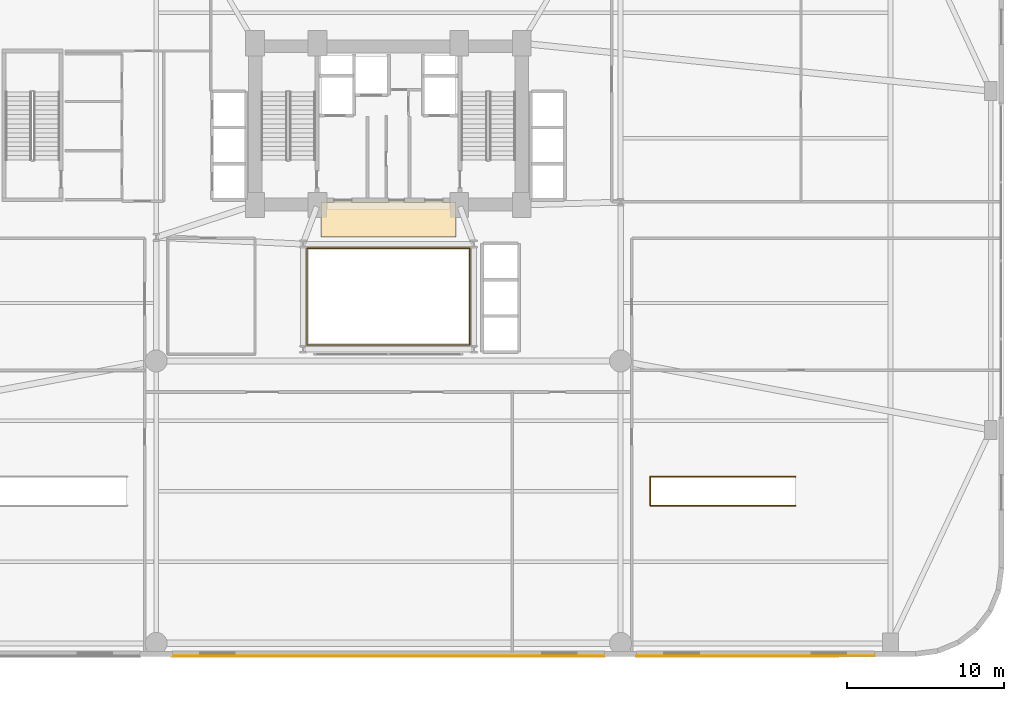
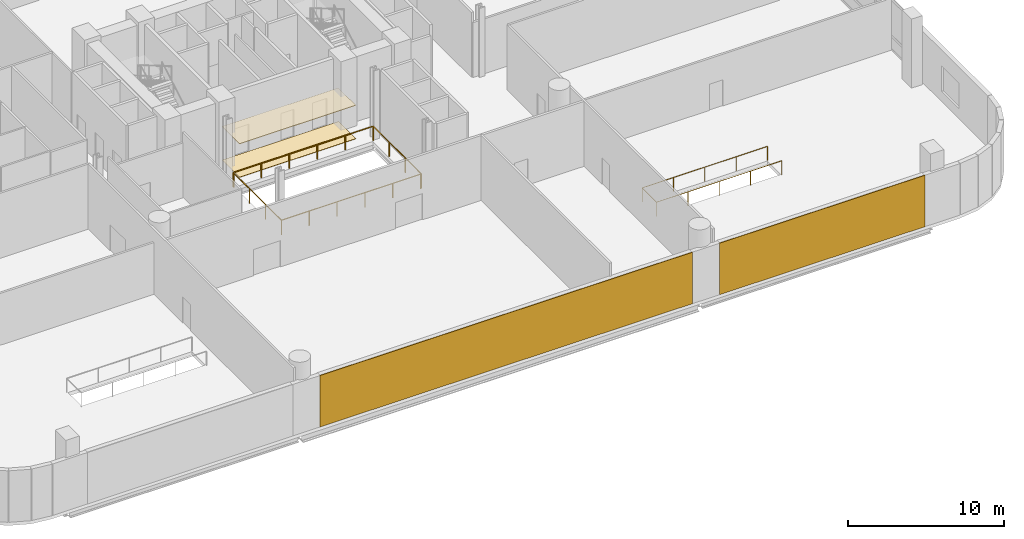
# One storey, part 27 of 31: 4 coverings, 3 railings.
"""IFC4 building model written with IfcOpenShell, lengths in metres."""

from ifc_helpers import new_model, si_unit, direction, frame, origin, origin_2d, place, context, subcontext, project, spatial, rectangle, circle, extrude, source, transform, mapped, material, layer, layer_set, type_object, element, save


model = new_model("IFC4")

# Units and contexts
model_context = context("Model", 3, precision=1e-05, world=origin(), true_north=direction((0.0, 1.0)))
body_context = subcontext(model_context, "Body", "Model", "MODEL_VIEW")
ifc_project = project(units=[si_unit("LENGTHUNIT", "METRE"), si_unit("AREAUNIT", "SQUARE_METRE"), si_unit("VOLUMEUNIT", "CUBIC_METRE"), si_unit("PLANEANGLEUNIT", "RADIAN"), si_unit("MASSUNIT", "GRAM", prefix="KILO")], contexts=[model_context])

# Site, building, storey
site_placement = place(None, origin())
site = spatial("IfcSite", under=ifc_project, at=site_placement, CompositionType="ELEMENT")
building_placement = place(site_placement, origin())
building = spatial("IfcBuilding", under=site, at=building_placement, Name="Varnelok Gate Tower", CompositionType="ELEMENT")
storey_placement = place(building_placement, frame((0.0, 0.0, 16.199951171875)))
storey = spatial("IfcBuildingStorey", under=building, at=storey_placement, Name="L03", CompositionType="ELEMENT", Elevation=16.199951171875)

# Railings
ifc_material_1 = material(Name="Tempered Laminated Balustrade Glass", Category="glass")
railing_type_1 = type_object("IfcRailingType", Name="RL-ATR-GUARD1150", PredefinedType="GUARDRAIL", material=ifc_material_1)
railing_1_placement = place(storey_placement, frame((34.02001953125, 25.929931640625, 0.0)))
element("IfcRailing", 1, at=railing_1_placement, inside=storey, type_object=railing_type_1, Name="L03 Internal Atrium South-West Guardrail", PredefinedType="GUARDRAIL", context=body_context, shape_type="SweptSolid", body=[
    extrude(circle(Radius=0.02392578125, at=origin_2d()), frame((0.0, 0.0, 1.1259765625), z_axis=(0.0, -1.0, 0.0), x_axis=(1.0, 0.0, 0.0)), (0.0, 0.0, 1.0), 6.10986328125),
    extrude(circle(Radius=0.02392578125, at=origin_2d()), frame((0.0, -6.10986328125, 1.1259765625), z_axis=(1.0, 0.0, 0.0), x_axis=(0.0, 1.0, 0.0)), (0.0, 0.0, 1.0), 10.31005859375),
    extrude(circle(Radius=0.02099609375, at=origin_2d()), origin(), (0.0, 0.0, 1.0), 1.101806640625),
    extrude(circle(Radius=0.02099609375, at=origin_2d()), frame((0.0, -2.03662109375, 0.0)), (0.0, 0.0, 1.0), 1.101806640625),
    extrude(circle(Radius=0.02099609375, at=origin_2d()), frame((0.0, -4.0732421875, 0.0)), (0.0, 0.0, 1.0), 1.101806640625),
    extrude(circle(Radius=0.02099609375, at=origin_2d()), frame((0.0, -6.10986328125, 0.0)), (0.0, 0.0, 1.0), 1.101806640625),
    extrude(circle(Radius=0.02099609375, at=origin_2d()), frame((2.06201171875, -6.10986328125, 0.0)), (0.0, 0.0, 1.0), 1.101806640625),
    extrude(circle(Radius=0.02099609375, at=origin_2d()), frame((4.1240234375, -6.10986328125, 0.0)), (0.0, 0.0, 1.0), 1.101806640625),
    extrude(circle(Radius=0.02099609375, at=origin_2d()), frame((6.18603515625, -6.10986328125, 0.0)), (0.0, 0.0, 1.0), 1.101806640625),
    extrude(circle(Radius=0.02099609375, at=origin_2d()), frame((8.248046875, -6.10986328125, 0.0)), (0.0, 0.0, 1.0), 1.101806640625),
    extrude(circle(Radius=0.02099609375, at=origin_2d()), frame((10.31005859375, -6.10986328125, 0.0)), (0.0, 0.0, 1.0), 1.101806640625),
])
railing_2_placement = place(storey_placement, frame((44.3798828125, 19.820068359375, 0.0)))
element("IfcRailing", 2, at=railing_2_placement, inside=storey, type_object=railing_type_1, Name="L03 Internal Atrium North-East Guardrail", PredefinedType="GUARDRAIL", context=body_context, shape_type="SweptSolid", body=[
    extrude(circle(Radius=0.02392578125, at=origin_2d()), frame((0.0, 0.0, 1.1259765625), z_axis=(0.0, 1.0, 0.0), x_axis=(-1.0, 0.0, 0.0)), (0.0, 0.0, 1.0), 6.159912109375),
    extrude(circle(Radius=0.02392578125, at=origin_2d()), frame((0.0, 6.159912109375, 1.1259765625), z_axis=(-1.0, 0.0, 0.0), x_axis=(0.0, -1.0, 0.0)), (0.0, 0.0, 1.0), 10.35986328125),
    extrude(circle(Radius=0.02099609375, at=origin_2d()), origin(), (0.0, 0.0, 1.0), 1.101806640625),
    extrude(circle(Radius=0.02099609375, at=origin_2d()), frame((0.0, 2.05322265625, 0.0)), (0.0, 0.0, 1.0), 1.101806640625),
    extrude(circle(Radius=0.02099609375, at=origin_2d()), frame((0.0, 4.106689453125, 0.0)), (0.0, 0.0, 1.0), 1.101806640625),
    extrude(circle(Radius=0.02099609375, at=origin_2d()), frame((0.0, 6.159912109375, 0.0)), (0.0, 0.0, 1.0), 1.101806640625),
    extrude(circle(Radius=0.02099609375, at=origin_2d()), frame((-2.072021484375, 6.159912109375, 0.0)), (0.0, 0.0, 1.0), 1.101806640625),
    extrude(circle(Radius=0.02099609375, at=origin_2d()), frame((-4.14404296875, 6.159912109375, 0.0)), (0.0, 0.0, 1.0), 1.101806640625),
    extrude(circle(Radius=0.02099609375, at=origin_2d()), frame((-6.2158203125, 6.159912109375, 0.0)), (0.0, 0.0, 1.0), 1.101806640625),
    extrude(circle(Radius=0.02099609375, at=origin_2d()), frame((-8.287841796875, 6.159912109375, 0.0)), (0.0, 0.0, 1.0), 1.101806640625),
    extrude(circle(Radius=0.02099609375, at=origin_2d()), frame((-10.35986328125, 6.159912109375, 0.0)), (0.0, 0.0, 1.0), 1.101806640625),
])
ifc_material_2 = material(Name="Galvanized Steel Grade S350GD", Category="steel")
railing_type_2 = type_object("IfcRailingType", Name="RL-STAIR-GUARD1120", PredefinedType="GUARDRAIL", material=ifc_material_2)
railing_3_placement = place(storey_placement, frame((65.159912109375, 9.574951171875, 0.0)))
element("IfcRailing", 3, at=railing_3_placement, inside=storey, type_object=railing_type_2, Name="L03 Stair ST-5 Well Guardrail", PredefinedType="GUARDRAIL", context=body_context, shape_type="SweptSolid", body=[
    extrude(circle(Radius=0.02392578125, at=origin_2d()), frame((0.0, 0.0, 1.09619140625), z_axis=(-1.0, 0.0, 0.0), x_axis=(0.0, -1.0, 0.0)), (0.0, 0.0, 1.0), 9.27001953125),
    extrude(circle(Radius=0.02392578125, at=origin_2d()), frame((-9.27001953125, 0.0, 1.09619140625), z_axis=(0.0, 1.0, 0.0), x_axis=(-1.0, 0.0, 0.0)), (0.0, 0.0, 1.0), 1.85009765625),
    extrude(circle(Radius=0.02392578125, at=origin_2d()), frame((-9.27001953125, 1.85009765625, 1.09619140625), z_axis=(1.0, 0.0, 0.0), x_axis=(0.0, 1.0, 0.0)), (0.0, 0.0, 1.0), 9.27001953125),
    extrude(circle(Radius=0.02099609375, at=origin_2d()), origin(), (0.0, 0.0, 1.0), 1.072021484375),
    extrude(circle(Radius=0.02099609375, at=origin_2d()), frame((-2.3173828125, 0.0, 0.0)), (0.0, 0.0, 1.0), 1.072021484375),
    extrude(circle(Radius=0.02099609375, at=origin_2d()), frame((-4.635009765625, 0.0, 0.0)), (0.0, 0.0, 1.0), 1.072021484375),
    extrude(circle(Radius=0.02099609375, at=origin_2d()), frame((-6.95263671875, 0.0, 0.0)), (0.0, 0.0, 1.0), 1.072021484375),
    extrude(circle(Radius=0.02099609375, at=origin_2d()), frame((-9.27001953125, 0.0, 0.0)), (0.0, 0.0, 1.0), 1.072021484375),
    extrude(circle(Radius=0.02099609375, at=origin_2d()), frame((-9.27001953125, 1.85009765625, 0.0)), (0.0, 0.0, 1.0), 1.072021484375),
    extrude(circle(Radius=0.02099609375, at=origin_2d()), frame((-6.95263671875, 1.85009765625, 0.0)), (0.0, 0.0, 1.0), 1.072021484375),
    extrude(circle(Radius=0.02099609375, at=origin_2d()), frame((-4.635009765625, 1.85009765625, 0.0)), (0.0, 0.0, 1.0), 1.072021484375),
    extrude(circle(Radius=0.02099609375, at=origin_2d()), frame((-2.3173828125, 1.85009765625, 0.0)), (0.0, 0.0, 1.0), 1.072021484375),
    extrude(circle(Radius=0.02099609375, at=origin_2d()), frame((0.0, 1.85009765625, 0.0)), (0.0, 0.0, 1.0), 1.072021484375),
])

# Coverings
ifc_material_3 = material(Name="Glazed Architectural Terracotta Ceramic", Category="masonry")
ifc_layer_1 = layer(ifc_material_3, 0.044921875)
ifc_layer_set_1 = layer_set([ifc_layer_1], Name="Glazed Architectural Terracotta Ceramic")
covering_type_1 = type_object("IfcCoveringType", Name="COV-TERRA-CLAD", PredefinedType="CLADDING", material=ifc_layer_set_1)
shared_shape_1 = source(origin(), body_context, "Body", "SweptSolid", [
    extrude(rectangle(XDim=15.199951171875, YDim=0.044921875, at=origin_2d()), origin(), (0.0, 0.0, 1.0), 4.030029296875),
])
covering_1_placement = place(storey_placement, frame((62.60009765625, -0.02197265625, 0.0), z_axis=(0.0, 0.0, 1.0), x_axis=(1.0, 0.0, 0.0)))
element("IfcCovering", 4, at=covering_1_placement, inside=storey, type_object=covering_type_1, Name="L03 Terracotta Arch Rainscreen Cladding S3", PredefinedType="CLADDING", context=body_context, shape_type="MappedRepresentation", body=[
    mapped(shared_shape_1, transform((0.0, 0.0, 0.0), scale=1.0)),
])
shared_shape_2 = source(origin(), body_context, "Body", "SweptSolid", [
    extrude(rectangle(XDim=27.60009765625, YDim=0.044921875, at=origin_2d()), origin(), (0.0, 0.0, 1.0), 4.030029296875),
])
covering_2_placement = place(storey_placement, frame((39.199951171875, -0.02197265625, 0.0), z_axis=(0.0, 0.0, 1.0), x_axis=(1.0, 0.0, 0.0)))
element("IfcCovering", 5, at=covering_2_placement, inside=storey, type_object=covering_type_1, Name="L03 Terracotta Arch Rainscreen Cladding S2", PredefinedType="CLADDING", context=body_context, shape_type="MappedRepresentation", body=[
    mapped(shared_shape_2, transform((0.0, 0.0, 0.0), scale=1.0)),
])
ifc_material_4 = material(Name="Honed Travertine Stone Flooring", Category="masonry")
ifc_layer_2 = layer(ifc_material_4, 0.02490234375)
ifc_layer_set_2 = layer_set([ifc_layer_2], Name="Honed Travertine Stone Flooring")
covering_type_2 = type_object("IfcCoveringType", Name="COV-FLOR-STONE", PredefinedType="FLOORING", material=ifc_layer_set_2)
shared_shape_3 = source(origin(), body_context, "Body", "SweptSolid", [
    extrude(rectangle(XDim=8.60009765625, YDim=2.219970703125, at=origin_2d()), origin(), (0.0, 0.0, 1.0), 0.02490234375),
])
covering_3_placement = place(storey_placement, frame((39.199951171875, 27.800048828125, 0.0), z_axis=(0.0, 0.0, 1.0), x_axis=(1.0, 0.0, 0.0)))
element("IfcCovering", 6, at=covering_3_placement, inside=storey, type_object=covering_type_2, Name="L03 Core Gallery Stone Flooring", PredefinedType="FLOORING", context=body_context, shape_type="MappedRepresentation", body=[
    mapped(shared_shape_3, transform((0.0, 0.0, 0.0), scale=1.0)),
])
ifc_material_5 = material(Name="Mineral Fiber Acoustic Ceiling Tile")
ifc_layer_3 = layer(ifc_material_5, 0.0400390625)
ifc_layer_set_3 = layer_set([ifc_layer_3], Name="Mineral Fiber Acoustic Ceiling Tile")
covering_type_3 = type_object("IfcCoveringType", Name="COV-CEIL-ACOUST", PredefinedType="CEILING", material=ifc_layer_set_3)
shared_shape_4 = source(origin(), body_context, "Body", "SweptSolid", [
    extrude(rectangle(XDim=8.60009765625, YDim=2.239990234375, at=origin_2d()), origin(), (0.0, 0.0, 1.0), 0.0400390625),
])
covering_4_placement = place(storey_placement, frame((39.199951171875, 27.820068359375, 2.60009765625), z_axis=(0.0, 0.0, 1.0), x_axis=(1.0, 0.0, 0.0)))
element("IfcCovering", 7, at=covering_4_placement, inside=storey, type_object=covering_type_3, Name="L03 Core Gallery Acoustic Ceiling", PredefinedType="CEILING", context=body_context, shape_type="MappedRepresentation", body=[
    mapped(shared_shape_4, transform((0.0, 0.0, 0.0), scale=1.0)),
])

save(model, "model.ifc")
